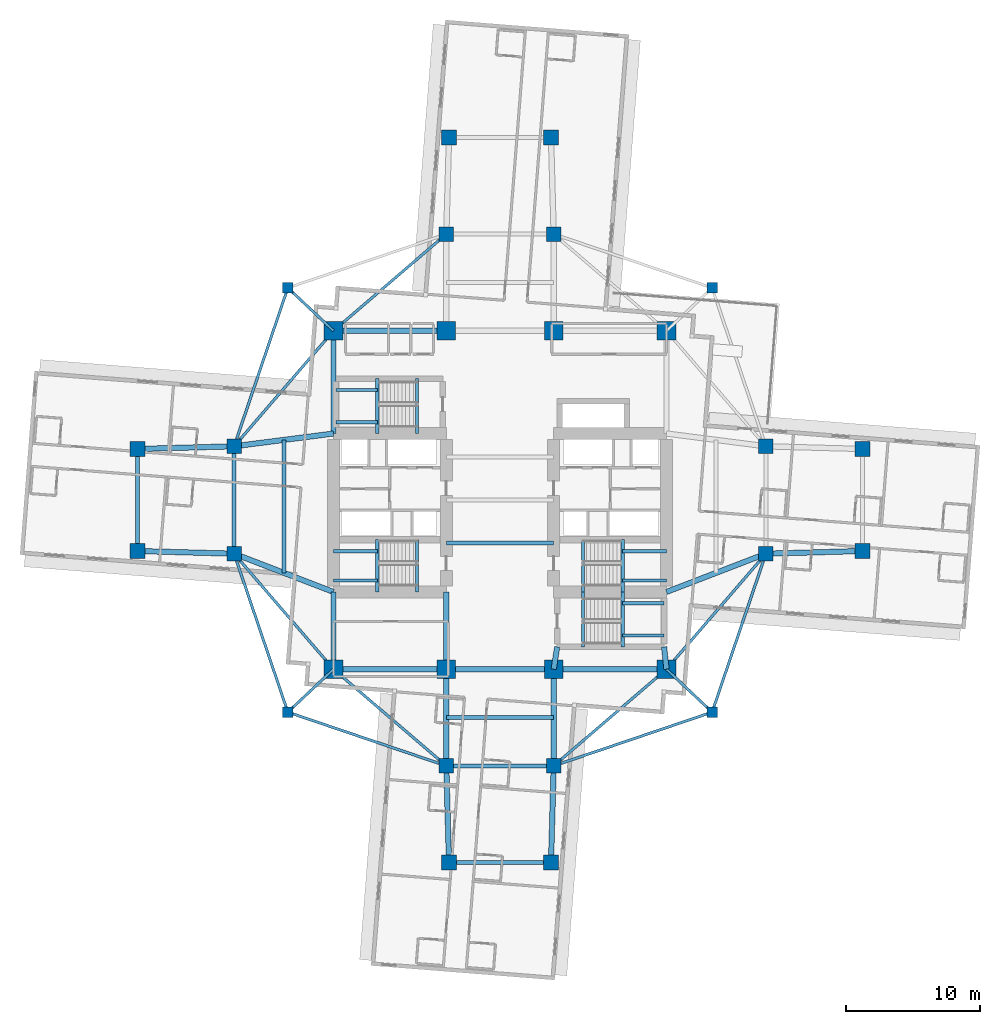
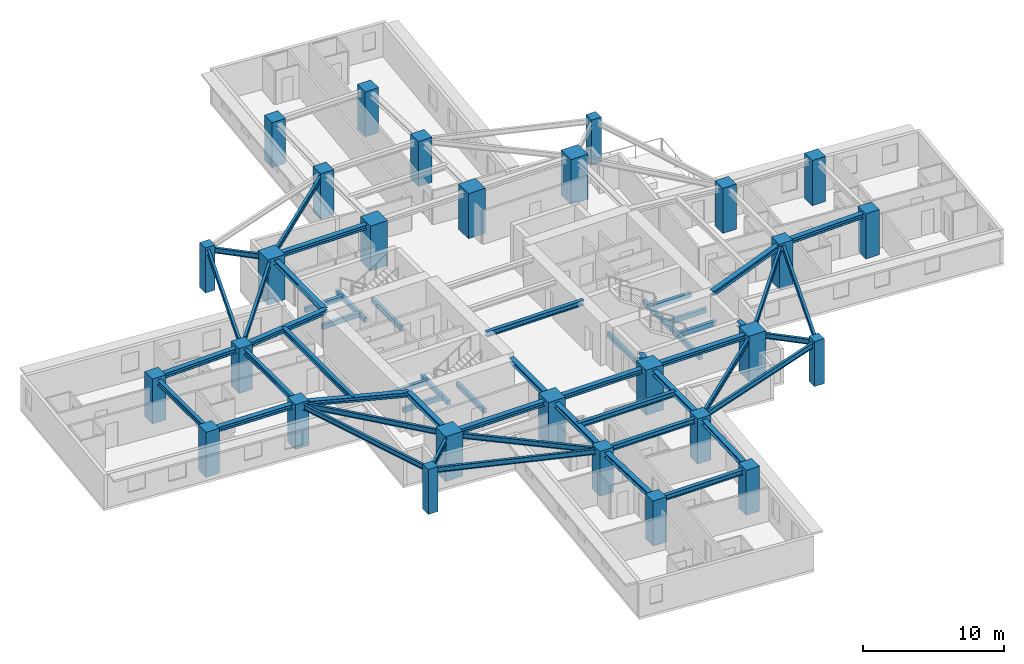
# One storey, part 1 of 14: 56 beams, 28 columns.
"""IFC4 building model written with IfcOpenShell, lengths in metres."""

from ifc_helpers import new_model, si_unit, direction, frame, origin, origin_2d, place, context, subcontext, project, spatial, rectangle, i_section, extrude, material, material_profile, profile_set, type_object, element, save


model = new_model("IFC4")

# Units and contexts
model_context = context("Model", 3, precision=1e-05, world=origin(), true_north=direction((0.0, 1.0)))
body_context = subcontext(model_context, "Body", "Model", "MODEL_VIEW")
ifc_project = project(units=[si_unit("LENGTHUNIT", "METRE"), si_unit("AREAUNIT", "SQUARE_METRE"), si_unit("VOLUMEUNIT", "CUBIC_METRE"), si_unit("PLANEANGLEUNIT", "RADIAN"), si_unit("MASSUNIT", "GRAM", prefix="KILO")], contexts=[model_context])

# Site, building, storey
site_placement = place(None, origin())
site = spatial("IfcSite", under=ifc_project, at=site_placement, CompositionType="ELEMENT")
building_placement = place(site_placement, origin())
building = spatial("IfcBuilding", under=site, at=building_placement, Name="Qingluan Cross Belvedere", CompositionType="ELEMENT")
storey_placement = place(building_placement, frame((0.0, 0.0, 83.39990234375)))
storey = spatial("IfcBuildingStorey", under=building, at=storey_placement, Name="L21", CompositionType="ELEMENT", Elevation=83.39990234375)

# Columns
ifc_material_1 = material(Name="Concrete C60", Category="concrete")
ifc_material_profile_1 = material_profile(ifc_material_1, rectangle(XDim=1.10009765625, YDim=1.10009765625, at=origin_2d()), Name="RC1100x1100")
ifc_profile_set_1 = profile_set([ifc_material_profile_1], Name="Concrete C60")
column_type_1 = type_object("IfcColumnType", Name="Column_RC1100x1100", PredefinedType="COLUMN", material=ifc_profile_set_1)
for number, where, z_axis, x_axis, name in (
    (1, (19.800048828125, -4.0, 0.0), (0.0, 0.0, 1.0), (1.0, 0.0, 0.0), "Arm column L21-EIA"),
    (2, (19.800048828125, 4.0, 0.0), (0.0, 0.0, 1.0), (1.0, 0.0, 0.0), "Arm column L21-EIB"),
    (3, (-19.800048828125, -4.0, 0.0), (0.0, 0.0, 1.0), (1.0, 0.0, 0.0), "Arm column L21-WIA"),
    (4, (-19.800048828125, 4.0, 0.0), (0.0, 0.0, 1.0), (1.0, 0.0, 0.0), "Arm column L21-WIB"),
    (5, (-4.0, -19.800048828125, 0.0), (0.0, 0.0, 1.0), (1.0, 0.0, 0.0), "Arm column L21-SIA"),
    (6, (4.0, -19.800048828125, 0.0), (0.0, 0.0, 1.0), (1.0, 0.0, 0.0), "Arm column L21-SIB"),
    (7, (-4.0, 19.800048828125, 0.0), (0.0, 0.0, 1.0), (1.0, 0.0, 0.0), "Arm column L21-NIA"),
    (8, (4.0, 19.800048828125, 0.0), (0.0, 0.0, 1.0), (1.0, 0.0, 0.0), "Arm column L21-NIB"),
    (9, (27.0, -3.800048828125, 0.0), (0.0, 0.0, 1.0), (1.0, 0.0, 0.0), "Arm column L21-EOA"),
    (10, (27.0, 3.800048828125, 0.0), (0.0, 0.0, 1.0), (1.0, 0.0, 0.0), "Arm column L21-EOB"),
    (11, (-27.0, -3.800048828125, 0.0), (0.0, 0.0, 1.0), (1.0, 0.0, 0.0), "Arm column L21-WOA"),
    (12, (-27.0, 3.800048828125, 0.0), (0.0, 0.0, 1.0), (1.0, 0.0, 0.0), "Arm column L21-WOB"),
    (13, (-3.800048828125, -27.0, 0.0), (0.0, 0.0, 1.0), (1.0, 0.0, 0.0), "Arm column L21-SOA"),
    (14, (3.800048828125, -27.0, 0.0), (0.0, 0.0, 1.0), (1.0, 0.0, 0.0), "Arm column L21-SOB"),
    (15, (-3.800048828125, 27.0, 0.0), (0.0, 0.0, 1.0), (1.0, 0.0, 0.0), "Arm column L21-NOA"),
    (16, (3.800048828125, 27.0, 0.0), (0.0, 0.0, 1.0), (1.0, 0.0, 0.0), "Arm column L21-NOB"),
):
    element("IfcColumn", number, at=place(storey_placement, frame(where, z_axis=z_axis, x_axis=x_axis)), inside=storey, type_object=column_type_1, Name=name, PredefinedType="COLUMN", context=body_context, shape_type="SweptSolid", body=[
        extrude(rectangle(XDim=1.10009765625, YDim=1.10009765625, at=origin_2d()), origin(), (0.0, 0.0, 1.0), 3.900146484375),
    ])
ifc_material_2 = material(Name="Concrete C70", Category="concrete")
ifc_material_profile_2 = material_profile(ifc_material_2, rectangle(XDim=1.39990234375, YDim=1.39990234375, at=origin_2d()), Name="RC1400x1400")
ifc_profile_set_2 = profile_set([ifc_material_profile_2], Name="Concrete C70")
column_type_2 = type_object("IfcColumnType", Name="Column_RC1400x1400", PredefinedType="COLUMN", material=ifc_profile_set_2)
for number, where, z_axis, x_axis, name in (
    (17, (-12.39990234375, -12.60009765625, 0.0), (0.0, 0.0, 1.0), (1.0, 0.0, 0.0), "Hub column L21-HC1"),
    (18, (12.39990234375, -12.60009765625, 0.0), (0.0, 0.0, 1.0), (1.0, 0.0, 0.0), "Hub column L21-HC2"),
    (19, (12.39990234375, 12.60009765625, 0.0), (0.0, 0.0, 1.0), (1.0, 0.0, 0.0), "Hub column L21-HC3"),
    (20, (-12.39990234375, 12.60009765625, 0.0), (0.0, 0.0, 1.0), (1.0, 0.0, 0.0), "Hub column L21-HC4"),
    (21, (-4.0, -12.60009765625, 0.0), (0.0, 0.0, 1.0), (1.0, 0.0, 0.0), "Hub column L21-HC5"),
    (22, (4.0, -12.60009765625, 0.0), (0.0, 0.0, 1.0), (1.0, 0.0, 0.0), "Hub column L21-HC6"),
    (23, (4.0, 12.60009765625, 0.0), (0.0, 0.0, 1.0), (1.0, 0.0, 0.0), "Hub column L21-HC7"),
    (24, (-4.0, 12.60009765625, 0.0), (0.0, 0.0, 1.0), (1.0, 0.0, 0.0), "Hub column L21-HC8"),
):
    element("IfcColumn", number, at=place(storey_placement, frame(where, z_axis=z_axis, x_axis=x_axis)), inside=storey, type_object=column_type_2, Name=name, PredefinedType="COLUMN", context=body_context, shape_type="SweptSolid", body=[
        extrude(rectangle(XDim=1.39990234375, YDim=1.39990234375, at=origin_2d()), origin(), (0.0, 0.0, 1.0), 3.900146484375),
    ])
ifc_material_3 = material(Name="Concrete C50", Category="concrete")
ifc_material_profile_3 = material_profile(ifc_material_3, rectangle(XDim=0.800048828125, YDim=0.800048828125, at=origin_2d()), Name="RC800x800")
ifc_profile_set_3 = profile_set([ifc_material_profile_3], Name="Concrete C50")
column_type_3 = type_object("IfcColumnType", Name="Column_RC800x800", PredefinedType="COLUMN", material=ifc_profile_set_3)
for number, where, z_axis, x_axis, name in (
    (25, (15.800048828125, 15.800048828125, 0.0), (0.0, 0.0, 1.0), (1.0, 0.0, 0.0), "Corner column L21-RNE"),
    (26, (-15.800048828125, 15.800048828125, 0.0), (0.0, 0.0, 1.0), (1.0, 0.0, 0.0), "Corner column L21-RNW"),
    (27, (-15.800048828125, -15.800048828125, 0.0), (0.0, 0.0, 1.0), (1.0, 0.0, 0.0), "Corner column L21-RSW"),
    (28, (15.800048828125, -15.800048828125, 0.0), (0.0, 0.0, 1.0), (1.0, 0.0, 0.0), "Corner column L21-RSE"),
):
    element("IfcColumn", number, at=place(storey_placement, frame(where, z_axis=z_axis, x_axis=x_axis)), inside=storey, type_object=column_type_3, Name=name, PredefinedType="COLUMN", context=body_context, shape_type="SweptSolid", body=[
        extrude(rectangle(XDim=0.800048828125, YDim=0.800048828125, at=origin_2d()), origin(), (0.0, 0.0, 1.0), 3.900146484375),
    ])

# Beams
ifc_material_4 = material(Name="Concrete C45", Category="concrete")
ifc_material_profile_4 = material_profile(ifc_material_4, rectangle(XDim=0.25, YDim=0.39990234375, at=origin_2d()), Name="RC250x400")
ifc_profile_set_4 = profile_set([ifc_material_profile_4], Name="Concrete C45")
beam_type_1 = type_object("IfcBeamType", Name="RC_Lintel_RC250x400", PredefinedType="LINTEL", material=ifc_profile_set_4)
for number, where, z_axis, x_axis, name in (
    (29, (-6.179931640625, -6.85009765625, -0.199951171875), (0.0, 1.0, 0.0), (-1.0, 0.0, 0.0), "Stair ST1 landing beam L21"),
    (30, (6.179931640625, -6.85009765625, -0.199951171875), (0.0, 1.0, 0.0), (-1.0, 0.0, 0.0), "Stair ST2 landing beam L21"),
):
    element("IfcBeam", number, at=place(storey_placement, frame(where, z_axis=z_axis, x_axis=x_axis)), inside=storey, type_object=beam_type_1, Name=name, PredefinedType="LINTEL", context=body_context, shape_type="SweptSolid", body=[
        extrude(rectangle(XDim=0.25, YDim=0.39990234375, at=origin_2d()), origin(), (0.0, 0.0, 1.0), 3.89013671875),
    ])
beam_1_placement = place(storey_placement, frame((-6.179931640625, 4.949951171875, -0.199951171875), z_axis=(0.0, 1.0, 0.0), x_axis=(-1.0, 0.0, 0.0)))
element("IfcBeam", 31, at=beam_1_placement, inside=storey, type_object=beam_type_1, Name="Stair ST3 landing beam L21", PredefinedType="LINTEL", context=body_context, shape_type="SweptSolid", body=[
    extrude(rectangle(XDim=0.25, YDim=0.39990234375, at=origin_2d()), origin(), (0.0, 0.0, 1.0), 4.090087890625),
])
beam_2_placement = place(storey_placement, frame((6.179931640625, -10.93994140625, -0.199951171875), z_axis=(0.0, 1.0, 0.0), x_axis=(-1.0, 0.0, 0.0)))
element("IfcBeam", 32, at=beam_2_placement, inside=storey, type_object=beam_type_1, Name="Stair ST4 landing beam L21", PredefinedType="LINTEL", context=body_context, shape_type="SweptSolid", body=[
    extrude(rectangle(XDim=0.25, YDim=0.39990234375, at=origin_2d()), origin(), (0.0, 0.0, 1.0), 4.08984375),
])
beam_3_placement = place(storey_placement, frame((-9.1298828125, -6.85009765625, 1.550048828125), z_axis=(0.0, 1.0, 0.0), x_axis=(-1.0, 0.0, 0.0)))
element("IfcBeam", 33, at=beam_3_placement, inside=storey, type_object=beam_type_1, Name="Stair ST1 beam A L21", PredefinedType="LINTEL", context=body_context, shape_type="SweptSolid", body=[
    extrude(rectangle(XDim=0.25, YDim=0.39990234375, at=origin_2d()), origin(), (0.0, 0.0, 1.0), 3.89013671875),
])
for number, where, z_axis, x_axis, name in (
    (34, (-12.39990234375, -6.0, 1.550048828125), (1.0, 0.0, 0.0), (0.0, 1.0, 0.0), "Stair ST1 beam B L21"),
    (35, (-12.39990234375, -3.81005859375, 1.550048828125), (1.0, 0.0, 0.0), (0.0, 1.0, 0.0), "Stair ST1 beam C L21"),
):
    element("IfcBeam", number, at=place(storey_placement, frame(where, z_axis=z_axis, x_axis=x_axis)), inside=storey, type_object=beam_type_1, Name=name, PredefinedType="LINTEL", context=body_context, shape_type="SweptSolid", body=[
        extrude(rectangle(XDim=0.25, YDim=0.39990234375, at=origin_2d()), origin(), (0.0, 0.0, 1.0), 3.27001953125),
    ])
beam_4_placement = place(storey_placement, frame((9.1298828125, -6.85009765625, 1.550048828125), z_axis=(0.0, 1.0, 0.0), x_axis=(-1.0, 0.0, 0.0)))
element("IfcBeam", 36, at=beam_4_placement, inside=storey, type_object=beam_type_1, Name="Stair ST2 beam A L21", PredefinedType="LINTEL", context=body_context, shape_type="SweptSolid", body=[
    extrude(rectangle(XDim=0.25, YDim=0.39990234375, at=origin_2d()), origin(), (0.0, 0.0, 1.0), 3.89013671875),
])
for number, where, z_axis, x_axis, name in (
    (37, (12.39990234375, -6.0, 1.550048828125), (-1.0, 0.0, 0.0), (0.0, -1.0, 0.0), "Stair ST2 beam B L21"),
    (38, (12.39990234375, -3.81005859375, 1.550048828125), (-1.0, 0.0, 0.0), (0.0, -1.0, 0.0), "Stair ST2 beam C L21"),
):
    element("IfcBeam", number, at=place(storey_placement, frame(where, z_axis=z_axis, x_axis=x_axis)), inside=storey, type_object=beam_type_1, Name=name, PredefinedType="LINTEL", context=body_context, shape_type="SweptSolid", body=[
        extrude(rectangle(XDim=0.25, YDim=0.39990234375, at=origin_2d()), origin(), (0.0, 0.0, 1.0), 3.27001953125),
    ])
beam_5_placement = place(storey_placement, frame((-9.1298828125, 4.949951171875, 1.550048828125), z_axis=(0.0, 1.0, 0.0), x_axis=(-1.0, 0.0, 0.0)))
element("IfcBeam", 39, at=beam_5_placement, inside=storey, type_object=beam_type_1, Name="Stair ST3 beam A L21", PredefinedType="LINTEL", context=body_context, shape_type="SweptSolid", body=[
    extrude(rectangle(XDim=0.25, YDim=0.39990234375, at=origin_2d()), origin(), (0.0, 0.0, 1.0), 4.090087890625),
])
for number, where, z_axis, x_axis, name in (
    (40, (-12.219970703125, 5.800048828125, 1.550048828125), (1.0, 0.0, 0.0), (0.0, 1.0, 0.0), "Stair ST3 beam B L21"),
    (41, (-12.219970703125, 8.18994140625, 1.550048828125), (1.0, 0.0, 0.0), (0.0, 1.0, 0.0), "Stair ST3 beam C L21"),
):
    element("IfcBeam", number, at=place(storey_placement, frame(where, z_axis=z_axis, x_axis=x_axis)), inside=storey, type_object=beam_type_1, Name=name, PredefinedType="LINTEL", context=body_context, shape_type="SweptSolid", body=[
        extrude(rectangle(XDim=0.25, YDim=0.39990234375, at=origin_2d()), origin(), (0.0, 0.0, 1.0), 3.090087890625),
    ])
beam_6_placement = place(storey_placement, frame((9.1298828125, -10.93994140625, 1.550048828125), z_axis=(0.0, 1.0, 0.0), x_axis=(-1.0, 0.0, 0.0)))
element("IfcBeam", 42, at=beam_6_placement, inside=storey, type_object=beam_type_1, Name="Stair ST4 beam A L21", PredefinedType="LINTEL", context=body_context, shape_type="SweptSolid", body=[
    extrude(rectangle(XDim=0.25, YDim=0.39990234375, at=origin_2d()), origin(), (0.0, 0.0, 1.0), 4.08984375),
])
for number, where, z_axis, x_axis, name in (
    (43, (12.219970703125, -10.090087890625, 1.550048828125), (-1.0, 0.0, 0.0), (0.0, -1.0, 0.0), "Stair ST4 beam B L21"),
    (44, (12.219970703125, -7.699951171875, 1.550048828125), (-1.0, 0.0, 0.0), (0.0, -1.0, 0.0), "Stair ST4 beam C L21"),
):
    element("IfcBeam", number, at=place(storey_placement, frame(where, z_axis=z_axis, x_axis=x_axis)), inside=storey, type_object=beam_type_1, Name=name, PredefinedType="LINTEL", context=body_context, shape_type="SweptSolid", body=[
        extrude(rectangle(XDim=0.25, YDim=0.39990234375, at=origin_2d()), origin(), (0.0, 0.0, 1.0), 3.090087890625),
    ])
ifc_material_5 = material(Name="Steel Q420GJB", Category="steel")
ifc_material_profile_5 = material_profile(ifc_material_5, i_section(OverallWidth=0.300048828125, OverallDepth=0.43994140625, WebThickness=0.010986328125, FlangeThickness=0.01806640625, FilletRadius=0.02001953125, at=origin_2d()), Name="HM440x300x11x18")
ifc_profile_set_5 = profile_set([ifc_material_profile_5], Name="Steel Q420GJB")
beam_type_2 = type_object("IfcBeamType", Name="Steel_Beam_HM440x300x11x18", PredefinedType="BEAM", material=ifc_profile_set_5)
for number, where, z_axis, x_axis, name in (
    (45, (-4.0, -3.199951171875, 3.47998046875), (1.0, 0.0, 0.0), (0.0, 1.0, 0.0), "Hall beam L21-CH1"),
    (46, (-19.800048828125, -4.0, 3.47998046875), (0.0, 1.0, 0.0), (-1.0, 0.0, 0.0), "Arm W tie L21"),
):
    element("IfcBeam", number, at=place(storey_placement, frame(where, z_axis=z_axis, x_axis=x_axis)), inside=storey, type_object=beam_type_2, Name=name, PredefinedType="BEAM", context=body_context, shape_type="SweptSolid", body=[
        extrude(i_section(OverallWidth=0.300048828125, OverallDepth=0.43994140625, WebThickness=0.010986328125, FlangeThickness=0.01806640625, FilletRadius=0.02001953125, at=origin_2d()), origin(), (0.0, 0.0, 1.0), 8.0),
    ])
beam_7_placement = place(storey_placement, frame((-16.10009765625, -5.425048828125, 3.47998046875), z_axis=(0.0, 1.0, 0.0), x_axis=(-1.0, 0.0, 0.0)))
element("IfcBeam", 47, at=beam_7_placement, inside=storey, type_object=beam_type_2, Name="Arm W beam L21", PredefinedType="BEAM", context=body_context, shape_type="SweptSolid", body=[
    extrude(i_section(OverallWidth=0.300048828125, OverallDepth=0.43994140625, WebThickness=0.010986328125, FlangeThickness=0.01806640625, FilletRadius=0.02001953125, at=origin_2d()), origin(), (0.0, 0.0, 1.0), 9.900146484375),
])
beam_8_placement = place(storey_placement, frame((-27.0, -3.800048828125, 3.47998046875), z_axis=(0.0, 1.0, 0.0), x_axis=(-1.0, 0.0, 0.0)))
element("IfcBeam", 48, at=beam_8_placement, inside=storey, type_object=beam_type_2, Name="Arm W tip transverse beam L21", PredefinedType="BEAM", context=body_context, shape_type="SweptSolid", body=[
    extrude(i_section(OverallWidth=0.300048828125, OverallDepth=0.43994140625, WebThickness=0.010986328125, FlangeThickness=0.01806640625, FilletRadius=0.02001953125, at=origin_2d()), origin(), (0.0, 0.0, 1.0), 7.60009765625),
])
for number, where, z_axis, x_axis, name in (
    (49, (-4.0, -19.800048828125, 3.47998046875), (1.0, 0.0, 0.0), (0.0, 1.0, 0.0), "Arm S tie L21"),
    (50, (-4.0, -16.199951171875, 3.47998046875), (1.0, 0.0, 0.0), (0.0, 1.0, 0.0), "Arm S beam L21"),
):
    element("IfcBeam", number, at=place(storey_placement, frame(where, z_axis=z_axis, x_axis=x_axis)), inside=storey, type_object=beam_type_2, Name=name, PredefinedType="BEAM", context=body_context, shape_type="SweptSolid", body=[
        extrude(i_section(OverallWidth=0.300048828125, OverallDepth=0.43994140625, WebThickness=0.010986328125, FlangeThickness=0.01806640625, FilletRadius=0.02001953125, at=origin_2d()), origin(), (0.0, 0.0, 1.0), 8.0),
    ])
beam_9_placement = place(storey_placement, frame((-3.800048828125, -27.0, 3.47998046875), z_axis=(1.0, 0.0, 0.0), x_axis=(0.0, 1.0, 0.0)))
element("IfcBeam", 51, at=beam_9_placement, inside=storey, type_object=beam_type_2, Name="Arm S tip transverse beam L21", PredefinedType="BEAM", context=body_context, shape_type="SweptSolid", body=[
    extrude(i_section(OverallWidth=0.300048828125, OverallDepth=0.43994140625, WebThickness=0.010986328125, FlangeThickness=0.01806640625, FilletRadius=0.02001953125, at=origin_2d()), origin(), (0.0, 0.0, 1.0), 7.60009765625),
])
ifc_material_6 = material(Name="Steel Q420GJB", Category="steel")
ifc_material_profile_6 = material_profile(ifc_material_6, i_section(OverallWidth=0.199951171875, OverallDepth=0.449951171875, WebThickness=0.009033203125, FlangeThickness=0.013916015625, FilletRadius=0.01611328125, at=origin_2d()), Name="HN450x200x9x14")
ifc_profile_set_6 = profile_set([ifc_material_profile_6], Name="Steel Q420GJB")
beam_type_3 = type_object("IfcBeamType", Name="Steel_Beam_HN450x200x9x14", PredefinedType="JOIST", material=ifc_profile_set_6)
beam_10_placement = place(storey_placement, frame((-12.39990234375, 12.60009765625, 3.455078125), z_axis=(-0.728219948308, 0.685343495546, 0.0), x_axis=(-0.685343495546, -0.728219948308, 0.0)))
element("IfcBeam", 52, at=beam_10_placement, inside=storey, type_object=beam_type_3, Name="Corner beam 1 L21-RNW", PredefinedType="JOIST", context=body_context, shape_type="SweptSolid", body=[
    extrude(i_section(OverallWidth=0.199951171875, OverallDepth=0.449951171875, WebThickness=0.009033203125, FlangeThickness=0.013916015625, FilletRadius=0.01611328125, at=origin_2d()), origin(), (0.0, 0.0, 1.0), 4.669189453125),
])
beam_11_placement = place(storey_placement, frame((-15.800048828125, 15.800048828125, 3.47509765625), z_axis=(-0.321038089628, -0.947066283324, 0.0), x_axis=(0.947066283324, -0.321038089628, 0.0)))
element("IfcBeam", 53, at=beam_11_placement, inside=storey, type_object=beam_type_3, Name="Corner beam 3 L21-RNW", PredefinedType="JOIST", context=body_context, shape_type="SweptSolid", body=[
    extrude(i_section(OverallWidth=0.199951171875, OverallDepth=0.449951171875, WebThickness=0.009033203125, FlangeThickness=0.013916015625, FilletRadius=0.01611328125, at=origin_2d()), origin(), (0.0, 0.0, 1.0), 12.45947265625),
])
beam_12_placement = place(storey_placement, frame((-12.39990234375, 12.60009765625, 3.455078125), z_axis=(-0.652245077546, -0.75800815221, 0.0), x_axis=(0.75800815221, -0.652245077546, 0.0)))
element("IfcBeam", 54, at=beam_12_placement, inside=storey, type_object=beam_type_3, Name="Corner beam 4 L21-RNW", PredefinedType="JOIST", context=body_context, shape_type="SweptSolid", body=[
    extrude(i_section(OverallWidth=0.199951171875, OverallDepth=0.449951171875, WebThickness=0.009033203125, FlangeThickness=0.013916015625, FilletRadius=0.01611328125, at=origin_2d()), origin(), (0.0, 0.0, 1.0), 11.345703125),
])
beam_13_placement = place(storey_placement, frame((-12.39990234375, 12.60009765625, 3.455078125), z_axis=(0.759255044656, 0.650793190779, 0.0), x_axis=(-0.650793190779, 0.759255044656, 0.0)))
element("IfcBeam", 55, at=beam_13_placement, inside=storey, type_object=beam_type_3, Name="Corner beam 5 L21-RNW", PredefinedType="JOIST", context=body_context, shape_type="SweptSolid", body=[
    extrude(i_section(OverallWidth=0.199951171875, OverallDepth=0.449951171875, WebThickness=0.009033203125, FlangeThickness=0.013916015625, FilletRadius=0.01611328125, at=origin_2d()), origin(), (0.0, 0.0, 1.0), 11.063232421875),
])
beam_14_placement = place(storey_placement, frame((-12.39990234375, -12.60009765625, 3.47509765625), z_axis=(-0.728219948308, -0.685343495546, 0.0), x_axis=(0.685343495546, -0.728219948308, 0.0)))
element("IfcBeam", 56, at=beam_14_placement, inside=storey, type_object=beam_type_3, Name="Corner beam 1 L21-RSW", PredefinedType="JOIST", context=body_context, shape_type="SweptSolid", body=[
    extrude(i_section(OverallWidth=0.199951171875, OverallDepth=0.449951171875, WebThickness=0.009033203125, FlangeThickness=0.013916015625, FilletRadius=0.01611328125, at=origin_2d()), origin(), (0.0, 0.0, 1.0), 4.669189453125),
])
for number, where, z_axis, x_axis, name in (
    (57, (-15.800048828125, -15.800048828125, 3.47509765625), (0.947066283324, -0.321038089628, 0.0), (0.321038089628, 0.947066283324, 0.0), "Corner beam 2 L21-RSW"),
    (58, (-15.800048828125, -15.800048828125, 3.47509765625), (-0.321038089628, 0.947066283324, 0.0), (-0.947066283324, -0.321038089628, 0.0), "Corner beam 3 L21-RSW"),
):
    element("IfcBeam", number, at=place(storey_placement, frame(where, z_axis=z_axis, x_axis=x_axis)), inside=storey, type_object=beam_type_3, Name=name, PredefinedType="JOIST", context=body_context, shape_type="SweptSolid", body=[
        extrude(i_section(OverallWidth=0.199951171875, OverallDepth=0.449951171875, WebThickness=0.009033203125, FlangeThickness=0.013916015625, FilletRadius=0.01611328125, at=origin_2d()), origin(), (0.0, 0.0, 1.0), 12.45947265625),
    ])
beam_15_placement = place(storey_placement, frame((-12.39990234375, -12.60009765625, 3.47509765625), z_axis=(-0.652245077546, 0.75800815221, 0.0), x_axis=(-0.75800815221, -0.652245077546, 0.0)))
element("IfcBeam", 59, at=beam_15_placement, inside=storey, type_object=beam_type_3, Name="Corner beam 4 L21-RSW", PredefinedType="JOIST", context=body_context, shape_type="SweptSolid", body=[
    extrude(i_section(OverallWidth=0.199951171875, OverallDepth=0.449951171875, WebThickness=0.009033203125, FlangeThickness=0.013916015625, FilletRadius=0.01611328125, at=origin_2d()), origin(), (0.0, 0.0, 1.0), 11.345703125),
])
beam_16_placement = place(storey_placement, frame((-12.39990234375, -12.60009765625, 3.47509765625), z_axis=(0.759255044656, -0.650793190779, 0.0), x_axis=(0.650793190779, 0.759255044656, 0.0)))
element("IfcBeam", 60, at=beam_16_placement, inside=storey, type_object=beam_type_3, Name="Corner beam 5 L21-RSW", PredefinedType="JOIST", context=body_context, shape_type="SweptSolid", body=[
    extrude(i_section(OverallWidth=0.199951171875, OverallDepth=0.449951171875, WebThickness=0.009033203125, FlangeThickness=0.013916015625, FilletRadius=0.01611328125, at=origin_2d()), origin(), (0.0, 0.0, 1.0), 11.063232421875),
])
beam_17_placement = place(storey_placement, frame((12.39990234375, -12.60009765625, 3.47509765625), z_axis=(0.728219948308, -0.685343495546, 0.0), x_axis=(0.685343495546, 0.728219948308, 0.0)))
element("IfcBeam", 61, at=beam_17_placement, inside=storey, type_object=beam_type_3, Name="Corner beam 1 L21-RSE", PredefinedType="JOIST", context=body_context, shape_type="SweptSolid", body=[
    extrude(i_section(OverallWidth=0.199951171875, OverallDepth=0.449951171875, WebThickness=0.009033203125, FlangeThickness=0.013916015625, FilletRadius=0.01611328125, at=origin_2d()), origin(), (0.0, 0.0, 1.0), 4.669189453125),
])
for number, where, z_axis, x_axis, name in (
    (62, (15.800048828125, -15.800048828125, 3.47509765625), (-0.947066283324, -0.321038089628, 0.0), (0.321038089628, -0.947066283324, 0.0), "Corner beam 2 L21-RSE"),
    (63, (15.800048828125, -15.800048828125, 3.47509765625), (0.321038089628, 0.947066283324, 0.0), (-0.947066283324, 0.321038089628, 0.0), "Corner beam 3 L21-RSE"),
):
    element("IfcBeam", number, at=place(storey_placement, frame(where, z_axis=z_axis, x_axis=x_axis)), inside=storey, type_object=beam_type_3, Name=name, PredefinedType="JOIST", context=body_context, shape_type="SweptSolid", body=[
        extrude(i_section(OverallWidth=0.199951171875, OverallDepth=0.449951171875, WebThickness=0.009033203125, FlangeThickness=0.013916015625, FilletRadius=0.01611328125, at=origin_2d()), origin(), (0.0, 0.0, 1.0), 12.45947265625),
    ])
beam_18_placement = place(storey_placement, frame((12.39990234375, -12.60009765625, 3.47509765625), z_axis=(0.652245077546, 0.75800815221, 0.0), x_axis=(-0.75800815221, 0.652245077546, 0.0)))
element("IfcBeam", 64, at=beam_18_placement, inside=storey, type_object=beam_type_3, Name="Corner beam 4 L21-RSE", PredefinedType="JOIST", context=body_context, shape_type="SweptSolid", body=[
    extrude(i_section(OverallWidth=0.199951171875, OverallDepth=0.449951171875, WebThickness=0.009033203125, FlangeThickness=0.013916015625, FilletRadius=0.01611328125, at=origin_2d()), origin(), (0.0, 0.0, 1.0), 11.345703125),
])
beam_19_placement = place(storey_placement, frame((12.39990234375, -12.60009765625, 3.47509765625), z_axis=(-0.759255044656, -0.650793190779, 0.0), x_axis=(0.650793190779, -0.759255044656, 0.0)))
element("IfcBeam", 65, at=beam_19_placement, inside=storey, type_object=beam_type_3, Name="Corner beam 5 L21-RSE", PredefinedType="JOIST", context=body_context, shape_type="SweptSolid", body=[
    extrude(i_section(OverallWidth=0.199951171875, OverallDepth=0.449951171875, WebThickness=0.009033203125, FlangeThickness=0.013916015625, FilletRadius=0.01611328125, at=origin_2d()), origin(), (0.0, 0.0, 1.0), 11.063232421875),
])
ifc_material_7 = material(Name="Steel Q420GJB", Category="steel")
ifc_material_profile_7 = material_profile(ifc_material_7, i_section(OverallWidth=0.39990234375, OverallDepth=0.39990234375, WebThickness=0.012939453125, FlangeThickness=0.02099609375, FilletRadius=0.02197265625, at=origin_2d()), Name="HW400x400x13x21")
ifc_profile_set_7 = profile_set([ifc_material_profile_7], Name="Steel Q420GJB")
beam_type_4 = type_object("IfcBeamType", Name="Steel_Girder_HW400x400x13x21", PredefinedType="USERDEFINED", material=ifc_profile_set_7)
beam_20_placement = place(storey_placement, frame((-12.39990234375, -12.60009765625, 3.5), z_axis=(1.0, 0.0, 0.0), x_axis=(0.0, 1.0, 0.0)))
element("IfcBeam", 66, at=beam_20_placement, inside=storey, type_object=beam_type_4, Name="Hub girder L21-HG-S1", ObjectType="GIRDER", PredefinedType="USERDEFINED", context=body_context, shape_type="SweptSolid", body=[
    extrude(i_section(OverallWidth=0.39990234375, OverallDepth=0.39990234375, WebThickness=0.012939453125, FlangeThickness=0.02099609375, FilletRadius=0.02197265625, at=origin_2d()), origin(), (0.0, 0.0, 1.0), 8.39990234375),
])
beam_21_placement = place(storey_placement, frame((-4.0, -12.60009765625, 3.5), z_axis=(1.0, 0.0, 0.0), x_axis=(0.0, 1.0, 0.0)))
element("IfcBeam", 67, at=beam_21_placement, inside=storey, type_object=beam_type_4, Name="Hub girder L21-HG-S2", ObjectType="GIRDER", PredefinedType="USERDEFINED", context=body_context, shape_type="SweptSolid", body=[
    extrude(i_section(OverallWidth=0.39990234375, OverallDepth=0.39990234375, WebThickness=0.012939453125, FlangeThickness=0.02099609375, FilletRadius=0.02197265625, at=origin_2d()), origin(), (0.0, 0.0, 1.0), 8.0),
])
for number, where, z_axis, x_axis, name in (
    (68, (4.0, -12.60009765625, 3.5), (1.0, 0.0, 0.0), (0.0, 1.0, 0.0), "Hub girder L21-HG-S3"),
    (69, (-12.39990234375, 12.60009765625, 3.5), (1.0, 0.0, 0.0), (0.0, 1.0, 0.0), "Hub girder L21-HG-N1"),
):
    element("IfcBeam", number, at=place(storey_placement, frame(where, z_axis=z_axis, x_axis=x_axis)), inside=storey, type_object=beam_type_4, Name=name, ObjectType="GIRDER", PredefinedType="USERDEFINED", context=body_context, shape_type="SweptSolid", body=[
        extrude(i_section(OverallWidth=0.39990234375, OverallDepth=0.39990234375, WebThickness=0.012939453125, FlangeThickness=0.02099609375, FilletRadius=0.02197265625, at=origin_2d()), origin(), (0.0, 0.0, 1.0), 8.39990234375),
    ])
beam_22_placement = place(storey_placement, frame((-12.39990234375, -12.60009765625, 3.5), z_axis=(0.0, 1.0, 0.0), x_axis=(-1.0, 0.0, 0.0)))
element("IfcBeam", 70, at=beam_22_placement, inside=storey, type_object=beam_type_4, Name="Hub girder L21-HG-W1", ObjectType="GIRDER", PredefinedType="USERDEFINED", context=body_context, shape_type="SweptSolid", body=[
    extrude(i_section(OverallWidth=0.39990234375, OverallDepth=0.39990234375, WebThickness=0.012939453125, FlangeThickness=0.02099609375, FilletRadius=0.02197265625, at=origin_2d()), origin(), (0.0, 0.0, 1.0), 5.75),
])
beam_23_placement = place(storey_placement, frame((-12.39990234375, 4.949951171875, 3.5), z_axis=(0.0, 1.0, 0.0), x_axis=(-1.0, 0.0, 0.0)))
element("IfcBeam", 71, at=beam_23_placement, inside=storey, type_object=beam_type_4, Name="Hub girder L21-HG-W2", ObjectType="GIRDER", PredefinedType="USERDEFINED", context=body_context, shape_type="SweptSolid", body=[
    extrude(i_section(OverallWidth=0.39990234375, OverallDepth=0.39990234375, WebThickness=0.012939453125, FlangeThickness=0.02099609375, FilletRadius=0.02197265625, at=origin_2d()), origin(), (0.0, 0.0, 1.0), 7.650146484375),
])
beam_24_placement = place(storey_placement, frame((12.39990234375, -12.60009765625, 3.5), z_axis=(-0.107751337451, 0.994177876075, 0.0), x_axis=(-0.994177876075, -0.107751337451, 0.0)))
element("IfcBeam", 72, at=beam_24_placement, inside=storey, type_object=beam_type_4, Name="Hub girder L21-HG-E1", ObjectType="GIRDER", PredefinedType="USERDEFINED", context=body_context, shape_type="SweptSolid", body=[
    extrude(i_section(OverallWidth=0.39990234375, OverallDepth=0.39990234375, WebThickness=0.012939453125, FlangeThickness=0.02099609375, FilletRadius=0.02197265625, at=origin_2d()), origin(), (0.0, 0.0, 1.0), 1.669921875),
])
beam_25_placement = place(storey_placement, frame((-4.0, -12.60009765625, 3.5), z_axis=(0.0, 1.0, 0.0), x_axis=(-1.0, 0.0, 0.0)))
element("IfcBeam", 73, at=beam_25_placement, inside=storey, type_object=beam_type_4, Name="Hub girder L21-HG-CW", ObjectType="GIRDER", PredefinedType="USERDEFINED", context=body_context, shape_type="SweptSolid", body=[
    extrude(i_section(OverallWidth=0.39990234375, OverallDepth=0.39990234375, WebThickness=0.012939453125, FlangeThickness=0.02099609375, FilletRadius=0.02197265625, at=origin_2d()), origin(), (0.0, 0.0, 1.0), 5.75),
])
beam_26_placement = place(storey_placement, frame((4.0, -12.60009765625, 3.5), z_axis=(0.154731433337, 0.987956569662, 0.0), x_axis=(-0.987956569662, 0.154731433337, 0.0)))
element("IfcBeam", 74, at=beam_26_placement, inside=storey, type_object=beam_type_4, Name="Hub girder L21-HG-CE", ObjectType="GIRDER", PredefinedType="USERDEFINED", context=body_context, shape_type="SweptSolid", body=[
    extrude(i_section(OverallWidth=0.39990234375, OverallDepth=0.39990234375, WebThickness=0.012939453125, FlangeThickness=0.02099609375, FilletRadius=0.02197265625, at=origin_2d()), origin(), (0.0, 0.0, 1.0), 1.680419921875),
])
beam_27_placement = place(storey_placement, frame((12.39990234375, -6.85009765625, 3.5), z_axis=(0.933181258889, 0.359406090735, 0.0), x_axis=(-0.359406090735, 0.933181258889, 0.0)))
element("IfcBeam", 75, at=beam_27_placement, inside=storey, type_object=beam_type_4, Name="Arm E radial girder A L21", ObjectType="GIRDER", PredefinedType="USERDEFINED", context=body_context, shape_type="SweptSolid", body=[
    extrude(i_section(OverallWidth=0.39990234375, OverallDepth=0.39990234375, WebThickness=0.012939453125, FlangeThickness=0.02099609375, FilletRadius=0.02197265625, at=origin_2d()), origin(), (0.0, 0.0, 1.0), 7.929931640625),
])
beam_28_placement = place(storey_placement, frame((19.800048828125, -4.0, 3.5), z_axis=(0.999614603568, 0.027760481514, 0.0), x_axis=(-0.027760481514, 0.999614603568, 0.0)))
element("IfcBeam", 76, at=beam_28_placement, inside=storey, type_object=beam_type_4, Name="Arm E outer radial girder A L21", ObjectType="GIRDER", PredefinedType="USERDEFINED", context=body_context, shape_type="SweptSolid", body=[
    extrude(i_section(OverallWidth=0.39990234375, OverallDepth=0.39990234375, WebThickness=0.012939453125, FlangeThickness=0.02099609375, FilletRadius=0.02197265625, at=origin_2d()), origin(), (0.0, 0.0, 1.0), 7.20263671875),
])
beam_29_placement = place(storey_placement, frame((-12.39990234375, -6.85009765625, 3.5), z_axis=(-0.933181258889, 0.359406090735, 0.0), x_axis=(-0.359406090735, -0.933181258889, 0.0)))
element("IfcBeam", 77, at=beam_29_placement, inside=storey, type_object=beam_type_4, Name="Arm W radial girder A L21", ObjectType="GIRDER", PredefinedType="USERDEFINED", context=body_context, shape_type="SweptSolid", body=[
    extrude(i_section(OverallWidth=0.39990234375, OverallDepth=0.39990234375, WebThickness=0.012939453125, FlangeThickness=0.02099609375, FilletRadius=0.02197265625, at=origin_2d()), origin(), (0.0, 0.0, 1.0), 7.929931640625),
])
beam_30_placement = place(storey_placement, frame((-12.39990234375, 4.949951171875, 3.5), z_axis=(-0.991861120628, -0.12732445714, 0.0), x_axis=(0.12732445714, -0.991861120628, 0.0)))
element("IfcBeam", 78, at=beam_30_placement, inside=storey, type_object=beam_type_4, Name="Arm W radial girder B L21", ObjectType="GIRDER", PredefinedType="USERDEFINED", context=body_context, shape_type="SweptSolid", body=[
    extrude(i_section(OverallWidth=0.39990234375, OverallDepth=0.39990234375, WebThickness=0.012939453125, FlangeThickness=0.02099609375, FilletRadius=0.02197265625, at=origin_2d()), origin(), (0.0, 0.0, 1.0), 7.4609375),
])
for number, where, z_axis, x_axis, name in (
    (79, (-19.800048828125, -4.0, 3.5), (-0.999614603568, 0.027760481514, 0.0), (-0.027760481514, -0.999614603568, 0.0), "Arm W outer radial girder A L21"),
    (80, (-19.800048828125, 4.0, 3.5), (-0.999614603568, -0.027760481514, 0.0), (0.027760481514, -0.999614603568, 0.0), "Arm W outer radial girder B L21"),
):
    element("IfcBeam", number, at=place(storey_placement, frame(where, z_axis=z_axis, x_axis=x_axis)), inside=storey, type_object=beam_type_4, Name=name, ObjectType="GIRDER", PredefinedType="USERDEFINED", context=body_context, shape_type="SweptSolid", body=[
        extrude(i_section(OverallWidth=0.39990234375, OverallDepth=0.39990234375, WebThickness=0.012939453125, FlangeThickness=0.02099609375, FilletRadius=0.02197265625, at=origin_2d()), origin(), (0.0, 0.0, 1.0), 7.20263671875),
    ])
for number, where, z_axis, x_axis, name in (
    (81, (-4.0, -12.60009765625, 3.5), (0.0, -1.0, 0.0), (1.0, 0.0, 0.0), "Arm S radial girder A L21"),
    (82, (4.0, -12.60009765625, 3.5), (0.0, -1.0, 0.0), (1.0, 0.0, 0.0), "Arm S radial girder B L21"),
):
    element("IfcBeam", number, at=place(storey_placement, frame(where, z_axis=z_axis, x_axis=x_axis)), inside=storey, type_object=beam_type_4, Name=name, ObjectType="GIRDER", PredefinedType="USERDEFINED", context=body_context, shape_type="SweptSolid", body=[
        extrude(i_section(OverallWidth=0.39990234375, OverallDepth=0.39990234375, WebThickness=0.012939453125, FlangeThickness=0.02099609375, FilletRadius=0.02197265625, at=origin_2d()), origin(), (0.0, 0.0, 1.0), 7.199951171875),
    ])
for number, where, z_axis, x_axis, name in (
    (83, (-4.0, -19.800048828125, 3.5), (0.027760481514, -0.999614603568, 0.0), (0.999614603568, 0.027760481514, 0.0), "Arm S outer radial girder A L21"),
    (84, (4.0, -19.800048828125, 3.5), (-0.027760481514, -0.999614603568, 0.0), (0.999614603568, -0.027760481514, 0.0), "Arm S outer radial girder B L21"),
):
    element("IfcBeam", number, at=place(storey_placement, frame(where, z_axis=z_axis, x_axis=x_axis)), inside=storey, type_object=beam_type_4, Name=name, ObjectType="GIRDER", PredefinedType="USERDEFINED", context=body_context, shape_type="SweptSolid", body=[
        extrude(i_section(OverallWidth=0.39990234375, OverallDepth=0.39990234375, WebThickness=0.012939453125, FlangeThickness=0.02099609375, FilletRadius=0.02197265625, at=origin_2d()), origin(), (0.0, 0.0, 1.0), 7.20263671875),
    ])

save(model, "model.ifc")
